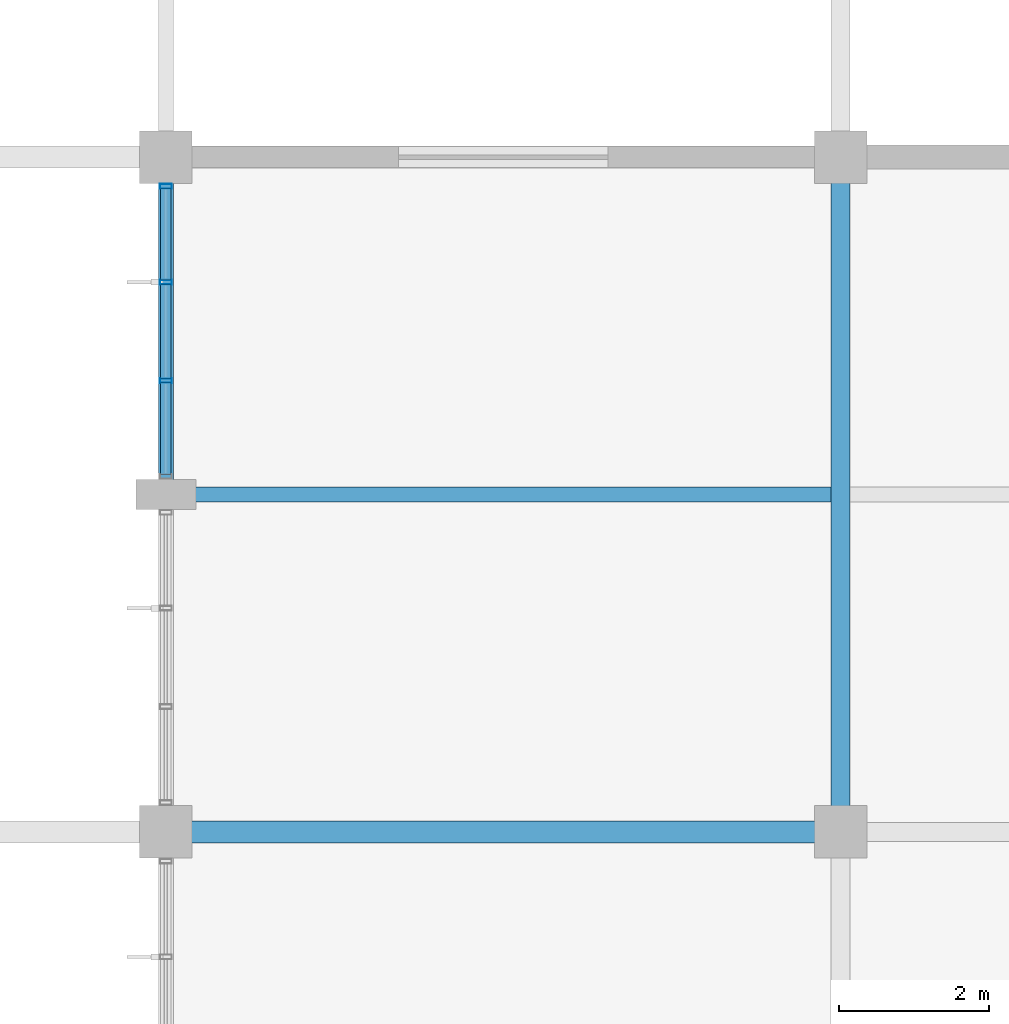
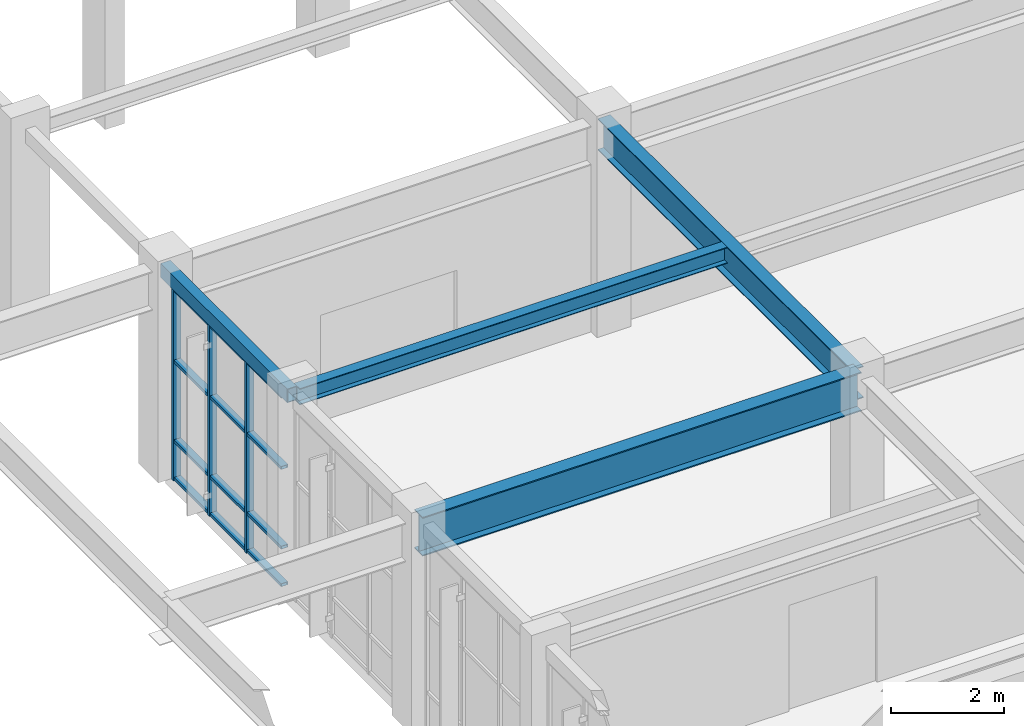
# One storey, part 25 of 99: 15 members, 4 beams, 1 element without a shape of its own.
"""IFC4 building model written with IfcOpenShell, lengths in metres."""

from ifc_helpers import new_model, si_unit, direction, frame, origin, origin_2d, place, context, subcontext, project, spatial, hollow_rectangle, i_section, extrude, material, layer, layer_set, material_profile, profile_set, type_object, element, aggregate, save


model = new_model("IFC4")

# Units and contexts
model_context = context("Model", 3, precision=1e-05, world=origin(), true_north=direction((0.0, 1.0)))
body_context = subcontext(model_context, "Body", "Model", "MODEL_VIEW")
ifc_project = project(units=[si_unit("LENGTHUNIT", "METRE"), si_unit("AREAUNIT", "SQUARE_METRE"), si_unit("VOLUMEUNIT", "CUBIC_METRE"), si_unit("PLANEANGLEUNIT", "RADIAN"), si_unit("MASSUNIT", "GRAM", prefix="KILO")], contexts=[model_context])

# Site, building, storey
site_placement = place(None, origin())
site = spatial("IfcSite", under=ifc_project, at=site_placement, CompositionType="ELEMENT")
building_placement = place(site_placement, origin())
building = spatial("IfcBuilding", under=site, at=building_placement, Name="Ventoquebrada Cableway Terminal", CompositionType="ELEMENT")
storey_placement = place(building_placement, frame((0.0, 0.0, 9.60009765625)))
storey = spatial("IfcBuildingStorey", under=building, at=storey_placement, Name="L02", CompositionType="ELEMENT", Elevation=9.60009765625)

# Beams
ifc_material_1 = material(Name="Steel ASTM A992 Grade 50", Category="steel")
ifc_material_profile_1 = material_profile(ifc_material_1, i_section(OverallWidth=0.25390625, OverallDepth=0.68798828125, WebThickness=0.01318359375, FlangeThickness=0.02099609375, at=origin_2d()), Name="W27X102")
ifc_profile_set_1 = profile_set([ifc_material_profile_1], Name="Steel ASTM A992 Grade 50")
beam_type_1 = type_object("IfcBeamType", Name="BM-ST04", PredefinedType="BEAM", material=ifc_profile_set_1)
beam_1_placement = place(storey_placement, frame((17.199951171875, 95.0, 4.120849609375), z_axis=(0.0, 1.0, 0.0), x_axis=(-1.0, 0.0, 0.0)))
element("IfcBeam", 1, at=beam_1_placement, inside=storey, type_object=beam_type_1, Name="Primary frame girder FBM-0472", PredefinedType="BEAM", context=body_context, shape_type="SweptSolid", body=[
    extrude(i_section(OverallWidth=0.25390625, OverallDepth=0.68798828125, WebThickness=0.01318359375, FlangeThickness=0.02099609375, at=origin_2d()), origin(), (0.0, 0.0, 1.0), 9.0),
])
ifc_material_profile_2 = material_profile(ifc_material_1, i_section(OverallWidth=0.2919921875, OverallDepth=0.845947265625, WebThickness=0.015380859375, FlangeThickness=0.0244140625, at=origin_2d()), Name="W33X141")
ifc_profile_set_2 = profile_set([ifc_material_profile_2], Name="Steel ASTM A992 Grade 50")
beam_type_2 = type_object("IfcBeamType", Name="BM-ST06", PredefinedType="BEAM", material=ifc_profile_set_2)
beam_2_placement = place(storey_placement, frame((8.199951171875, 95.0, 4.0419921875), z_axis=(1.0, 0.0, 0.0), x_axis=(0.0, 1.0, 0.0)))
element("IfcBeam", 2, at=beam_2_placement, inside=storey, type_object=beam_type_2, Name="Primary frame girder FBM-0447", PredefinedType="BEAM", context=body_context, shape_type="SweptSolid", body=[
    extrude(i_section(OverallWidth=0.2919921875, OverallDepth=0.845947265625, WebThickness=0.015380859375, FlangeThickness=0.0244140625, at=origin_2d()), origin(), (0.0, 0.0, 1.0), 9.0),
])

# Curtain wall, members
ifc_material_2 = material(Name="Anodized thermally-broken aluminium", Category="aluminium")
ifc_layer = layer(ifc_material_2, 0.159912109375)
ifc_layer_set = layer_set([ifc_layer], Name="Anodized thermally-broken aluminium")
curtain_wall_type = type_object("IfcCurtainWallType", Name="CW-T17", PredefinedType="USERDEFINED", material=ifc_layer_set)
curtain_wall_placement = place(storey_placement, origin())
curtain_wall = element("IfcCurtainWall", 3, at=curtain_wall_placement, inside=storey, type_object=curtain_wall_type, Name="Unitised glazed curtain wall CW-049", ObjectType="UNITISED CURTAIN WALL", PredefinedType="USERDEFINED")
ifc_material_profile_3 = material_profile(ifc_material_2, hollow_rectangle(XDim=0.06494140625, YDim=0.159912109375, WallThickness=0.00390625, at=origin_2d()), Name="CW-MUL-65X160")
ifc_profile_set_3 = profile_set([ifc_material_profile_3], Name="Anodized thermally-broken aluminium")
member_type_1 = type_object("IfcMemberType", Name="CWM-01", PredefinedType="MULLION", material=ifc_profile_set_3)
member_1_placement = place(storey_placement, frame((8.199951171875, 103.610107421875, -0.008056640625), z_axis=(0.0, 0.0, 1.0), x_axis=(0.0, -1.0, 0.0)))
member_1 = element("IfcMember", 4, at=member_1_placement, type_object=member_type_1, Name="Curtain wall mullion FML-0220", PredefinedType="MULLION", context=body_context, shape_type="SweptSolid", body=[
    extrude(hollow_rectangle(XDim=0.06494140625, YDim=0.159912109375, WallThickness=0.00390625, at=origin_2d()), origin(), (0.0, 0.0, 1.0), 4.1728515625),
])
member_2_placement = place(storey_placement, frame((8.199951171875, 102.33203125, -0.008056640625), z_axis=(0.0, 0.0, 1.0), x_axis=(0.0, -1.0, 0.0)))
member_2 = element("IfcMember", 5, at=member_2_placement, type_object=member_type_1, Name="Curtain wall mullion FML-0221", PredefinedType="MULLION", context=body_context, shape_type="SweptSolid", body=[
    extrude(hollow_rectangle(XDim=0.06494140625, YDim=0.159912109375, WallThickness=0.00390625, at=origin_2d()), origin(), (0.0, 0.0, 1.0), 4.1728515625),
])
member_3_placement = place(storey_placement, frame((8.199951171875, 101.01806640625, -0.008056640625), z_axis=(0.0, 0.0, 1.0), x_axis=(0.0, -1.0, 0.0)))
member_3 = element("IfcMember", 6, at=member_3_placement, type_object=member_type_1, Name="Curtain wall mullion FML-0222", PredefinedType="MULLION", context=body_context, shape_type="SweptSolid", body=[
    extrude(hollow_rectangle(XDim=0.06494140625, YDim=0.159912109375, WallThickness=0.00390625, at=origin_2d()), origin(), (0.0, 0.0, 1.0), 4.1728515625),
])
ifc_material_profile_4 = material_profile(ifc_material_2, hollow_rectangle(XDim=0.06494140625, YDim=0.139892578125, WallThickness=0.00390625, at=origin_2d()), Name="CW-TRN-65X140")
ifc_profile_set_4 = profile_set([ifc_material_profile_4], Name="Anodized thermally-broken aluminium")
member_type_2 = type_object("IfcMemberType", Name="CWT-01", PredefinedType="USERDEFINED", material=ifc_profile_set_4)
member_4_placement = place(storey_placement, frame((8.199951171875, 103.58203125, 0.034912109375), z_axis=(0.0, -1.0, 0.0), x_axis=(0.0, 0.0, 1.0)))
member_4 = element("IfcMember", 7, at=member_4_placement, type_object=member_type_2, Name="Curtain wall transom FTR-0663", ObjectType="TRANSOM", PredefinedType="USERDEFINED", context=body_context, shape_type="SweptSolid", body=[
    extrude(hollow_rectangle(XDim=0.06494140625, YDim=0.139892578125, WallThickness=0.00390625, at=origin_2d()), origin(), (0.0, 0.0, 1.0), 1.22314453125),
])
member_5_placement = place(storey_placement, frame((8.199951171875, 103.58203125, 0.849853515625), z_axis=(0.0, -1.0, 0.0), x_axis=(0.0, 0.0, 1.0)))
member_5 = element("IfcMember", 8, at=member_5_placement, type_object=member_type_2, Name="Curtain wall transom FTR-0664", ObjectType="TRANSOM", PredefinedType="USERDEFINED", context=body_context, shape_type="SweptSolid", body=[
    extrude(hollow_rectangle(XDim=0.06494140625, YDim=0.139892578125, WallThickness=0.00390625, at=origin_2d()), origin(), (0.0, 0.0, 1.0), 1.22314453125),
])
member_6_placement = place(storey_placement, frame((8.199951171875, 103.58203125, 2.578857421875), z_axis=(0.0, -1.0, 0.0), x_axis=(0.0, 0.0, 1.0)))
member_6 = element("IfcMember", 9, at=member_6_placement, type_object=member_type_2, Name="Curtain wall transom FTR-0665", ObjectType="TRANSOM", PredefinedType="USERDEFINED", context=body_context, shape_type="SweptSolid", body=[
    extrude(hollow_rectangle(XDim=0.06494140625, YDim=0.139892578125, WallThickness=0.00390625, at=origin_2d()), origin(), (0.0, 0.0, 1.0), 1.22314453125),
])
member_7_placement = place(storey_placement, frame((8.199951171875, 103.58203125, 4.125), z_axis=(0.0, -1.0, 0.0), x_axis=(0.0, 0.0, 1.0)))
member_7 = element("IfcMember", 10, at=member_7_placement, type_object=member_type_2, Name="Curtain wall transom FTR-0666", ObjectType="TRANSOM", PredefinedType="USERDEFINED", context=body_context, shape_type="SweptSolid", body=[
    extrude(hollow_rectangle(XDim=0.06494140625, YDim=0.139892578125, WallThickness=0.00390625, at=origin_2d()), origin(), (0.0, 0.0, 1.0), 1.22314453125),
])
member_8_placement = place(storey_placement, frame((8.199951171875, 102.303955078125, 0.034912109375), z_axis=(0.0, -1.0, 0.0), x_axis=(0.0, 0.0, 1.0)))
member_8 = element("IfcMember", 11, at=member_8_placement, type_object=member_type_2, Name="Curtain wall transom FTR-0667", ObjectType="TRANSOM", PredefinedType="USERDEFINED", context=body_context, shape_type="SweptSolid", body=[
    extrude(hollow_rectangle(XDim=0.06494140625, YDim=0.139892578125, WallThickness=0.00390625, at=origin_2d()), origin(), (0.0, 0.0, 1.0), 1.258056640625),
])
member_9_placement = place(storey_placement, frame((8.199951171875, 102.303955078125, 0.849853515625), z_axis=(0.0, -1.0, 0.0), x_axis=(0.0, 0.0, 1.0)))
member_9 = element("IfcMember", 12, at=member_9_placement, type_object=member_type_2, Name="Curtain wall transom FTR-0668", ObjectType="TRANSOM", PredefinedType="USERDEFINED", context=body_context, shape_type="SweptSolid", body=[
    extrude(hollow_rectangle(XDim=0.06494140625, YDim=0.139892578125, WallThickness=0.00390625, at=origin_2d()), origin(), (0.0, 0.0, 1.0), 1.258056640625),
])
member_10_placement = place(storey_placement, frame((8.199951171875, 102.303955078125, 2.578857421875), z_axis=(0.0, -1.0, 0.0), x_axis=(0.0, 0.0, 1.0)))
member_10 = element("IfcMember", 13, at=member_10_placement, type_object=member_type_2, Name="Curtain wall transom FTR-0669", ObjectType="TRANSOM", PredefinedType="USERDEFINED", context=body_context, shape_type="SweptSolid", body=[
    extrude(hollow_rectangle(XDim=0.06494140625, YDim=0.139892578125, WallThickness=0.00390625, at=origin_2d()), origin(), (0.0, 0.0, 1.0), 1.258056640625),
])
member_11_placement = place(storey_placement, frame((8.199951171875, 102.303955078125, 4.125), z_axis=(0.0, -1.0, 0.0), x_axis=(0.0, 0.0, 1.0)))
member_11 = element("IfcMember", 14, at=member_11_placement, type_object=member_type_2, Name="Curtain wall transom FTR-0670", ObjectType="TRANSOM", PredefinedType="USERDEFINED", context=body_context, shape_type="SweptSolid", body=[
    extrude(hollow_rectangle(XDim=0.06494140625, YDim=0.139892578125, WallThickness=0.00390625, at=origin_2d()), origin(), (0.0, 0.0, 1.0), 1.258056640625),
])
member_12_placement = place(storey_placement, frame((8.199951171875, 100.990966796875, 0.034912109375), z_axis=(0.0, -1.0, 0.0), x_axis=(0.0, 0.0, 1.0)))
member_12 = element("IfcMember", 15, at=member_12_placement, type_object=member_type_2, Name="Curtain wall transom FTR-0671", ObjectType="TRANSOM", PredefinedType="USERDEFINED", context=body_context, shape_type="SweptSolid", body=[
    extrude(hollow_rectangle(XDim=0.06494140625, YDim=0.139892578125, WallThickness=0.00390625, at=origin_2d()), origin(), (0.0, 0.0, 1.0), 1.223876953125),
])
member_13_placement = place(storey_placement, frame((8.199951171875, 100.990966796875, 0.849853515625), z_axis=(0.0, -1.0, 0.0), x_axis=(0.0, 0.0, 1.0)))
member_13 = element("IfcMember", 16, at=member_13_placement, type_object=member_type_2, Name="Curtain wall transom FTR-0672", ObjectType="TRANSOM", PredefinedType="USERDEFINED", context=body_context, shape_type="SweptSolid", body=[
    extrude(hollow_rectangle(XDim=0.06494140625, YDim=0.139892578125, WallThickness=0.00390625, at=origin_2d()), origin(), (0.0, 0.0, 1.0), 1.223876953125),
])
member_14_placement = place(storey_placement, frame((8.199951171875, 100.990966796875, 2.578857421875), z_axis=(0.0, -1.0, 0.0), x_axis=(0.0, 0.0, 1.0)))
member_14 = element("IfcMember", 17, at=member_14_placement, type_object=member_type_2, Name="Curtain wall transom FTR-0673", ObjectType="TRANSOM", PredefinedType="USERDEFINED", context=body_context, shape_type="SweptSolid", body=[
    extrude(hollow_rectangle(XDim=0.06494140625, YDim=0.139892578125, WallThickness=0.00390625, at=origin_2d()), origin(), (0.0, 0.0, 1.0), 1.223876953125),
])
member_15_placement = place(storey_placement, frame((8.199951171875, 100.990966796875, 4.125), z_axis=(0.0, -1.0, 0.0), x_axis=(0.0, 0.0, 1.0)))
member_15 = element("IfcMember", 18, at=member_15_placement, type_object=member_type_2, Name="Curtain wall transom FTR-0674", ObjectType="TRANSOM", PredefinedType="USERDEFINED", context=body_context, shape_type="SweptSolid", body=[
    extrude(hollow_rectangle(XDim=0.06494140625, YDim=0.139892578125, WallThickness=0.00390625, at=origin_2d()), origin(), (0.0, 0.0, 1.0), 1.223876953125),
])
aggregate(curtain_wall, [member_1, member_2, member_3, member_4, member_5, member_6, member_7, member_8, member_9, member_10, member_11, member_12, member_13, member_14, member_15])

# Beams
ifc_material_profile_5 = material_profile(ifc_material_1, i_section(OverallWidth=0.2041015625, OverallDepth=0.35009765625, WebThickness=0.008544921875, FlangeThickness=0.01513671875, at=origin_2d()), Name="W14X48")
ifc_profile_set_5 = profile_set([ifc_material_profile_5], Name="Steel ASTM A992 Grade 50")
beam_type_3 = type_object("IfcBeamType", Name="JST-ST05", PredefinedType="JOIST", material=ifc_profile_set_5)
beam_3_placement = place(storey_placement, frame((8.300048828125, 99.5, 4.289794921875), z_axis=(1.0, 0.0, 0.0), x_axis=(0.0, 1.0, 0.0)))
element("IfcBeam", 19, at=beam_3_placement, inside=storey, type_object=beam_type_3, Name="Secondary floor joist JB-017", PredefinedType="JOIST", context=body_context, shape_type="SweptSolid", body=[
    extrude(i_section(OverallWidth=0.2041015625, OverallDepth=0.35009765625, WebThickness=0.008544921875, FlangeThickness=0.01513671875, at=origin_2d()), origin(), (0.0, 0.0, 1.0), 8.77294921875),
])
ifc_material_3 = material(Name="Steel ASTM A500 Grade C", Category="steel")
ifc_material_profile_6 = material_profile(ifc_material_3, hollow_rectangle(XDim=0.199951171875, YDim=0.300048828125, WallThickness=0.012451171875, at=origin_2d()), Name="RHS300X200X12.5")
ifc_profile_set_6 = profile_set([ifc_material_profile_6], Name="Steel ASTM A500 Grade C")
beam_type_4 = type_object("IfcBeamType", Name="SP-ST02", PredefinedType="SPANDREL", material=ifc_profile_set_6)
beam_4_placement = place(storey_placement, frame((8.199951171875, 99.5, 4.31494140625), z_axis=(0.0, 1.0, 0.0), x_axis=(-1.0, 0.0, 0.0)))
element("IfcBeam", 20, at=beam_4_placement, inside=storey, type_object=beam_type_4, Name="Perimeter spandrel beam FBM-0466", PredefinedType="SPANDREL", context=body_context, shape_type="SweptSolid", body=[
    extrude(hollow_rectangle(XDim=0.199951171875, YDim=0.300048828125, WallThickness=0.012451171875, at=origin_2d()), origin(), (0.0, 0.0, 1.0), 4.5),
])

save(model, "model.ifc")
